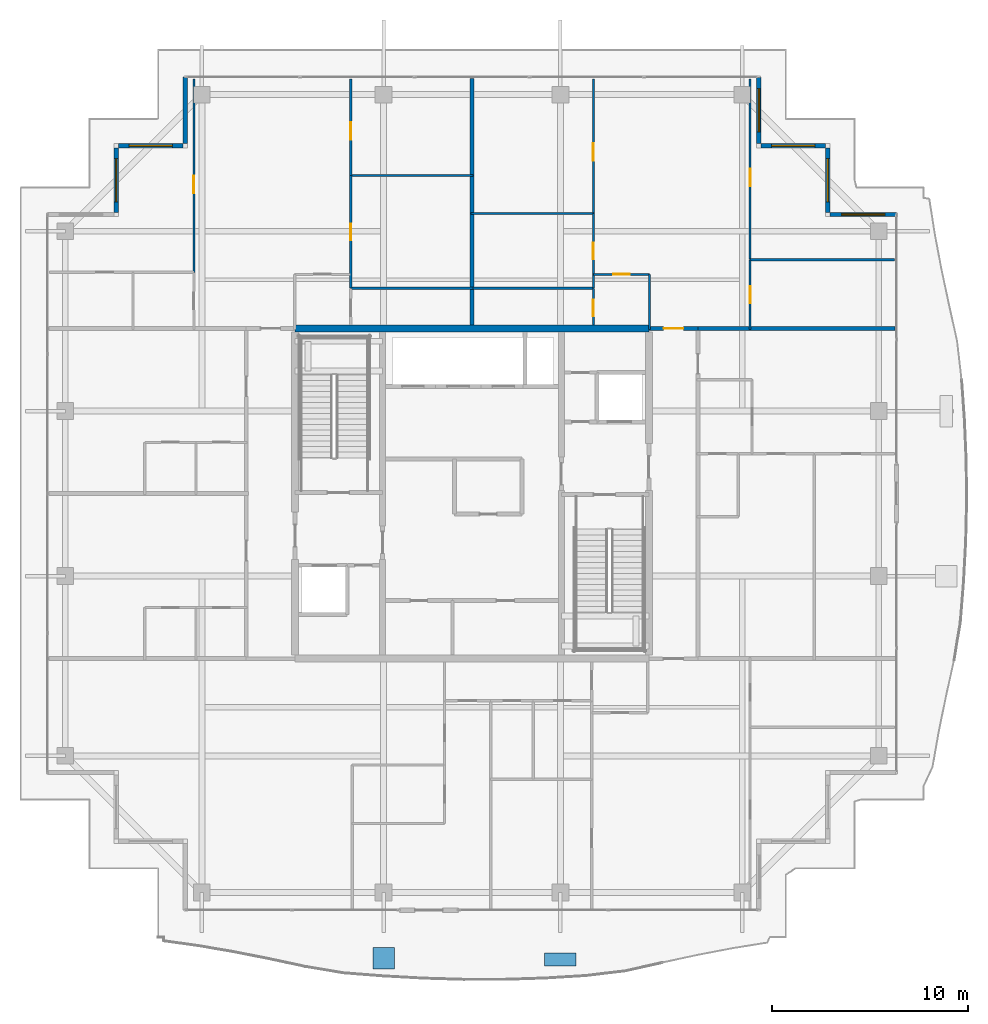
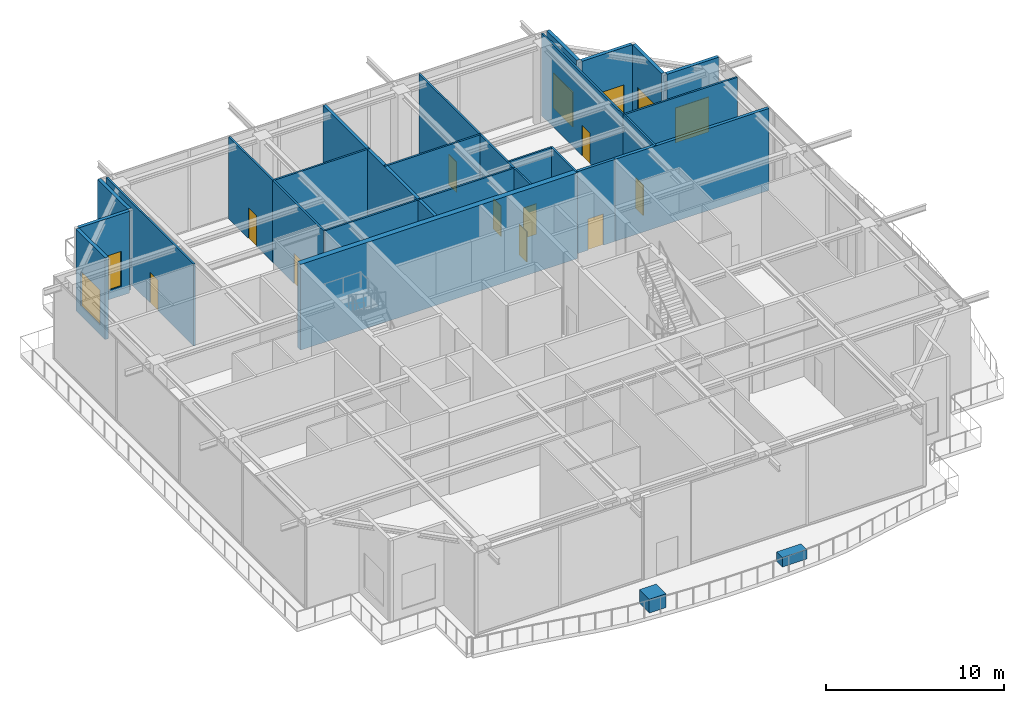
# One storey, part 30 of 38: 26 walls, 10 doors, 6 windows, 2 discrete accessories, 16 openings.
"""IFC4 building model written with IfcOpenShell, lengths in metres."""

from ifc_helpers import new_model, si_unit, direction, frame, frame_2d, origin, origin_2d, place, context, subcontext, project, spatial, rectangle, extrude, source, transform, mapped, material, layer, layer_set, type_object, element, fill, save


model = new_model("IFC4")

# Units and contexts
model_context = context("Model", 3, precision=1e-05, world=origin(), true_north=direction((0.0, 1.0)))
body_context = subcontext(model_context, "Body", "Model", "MODEL_VIEW")
ifc_project = project(units=[si_unit("LENGTHUNIT", "METRE"), si_unit("AREAUNIT", "SQUARE_METRE"), si_unit("VOLUMEUNIT", "CUBIC_METRE"), si_unit("PLANEANGLEUNIT", "RADIAN"), si_unit("MASSUNIT", "GRAM", prefix="KILO")], contexts=[model_context])

# Site, building, storey
site_placement = place(None, origin())
site = spatial("IfcSite", under=ifc_project, at=site_placement, CompositionType="ELEMENT")
building_placement = place(site_placement, origin())
building = spatial("IfcBuilding", under=site, at=building_placement, Name="Serunith Strait Residences", CompositionType="ELEMENT")
storey_placement = place(building_placement, frame((0.0, 0.0, 342.050048828125)))
storey = spatial("IfcBuildingStorey", under=building, at=storey_placement, Name="L85", CompositionType="ELEMENT", Elevation=342.050048828125)

# Wall, opening, window
ifc_material_1 = material(Name="Pale-Champagne Aluminium Insulated Panel", Category="aluminium")
ifc_layer_1 = layer(ifc_material_1, 0.219970703125, Name="Pale-Champagne Aluminium Insulated Panel")
ifc_layer_set_1 = layer_set([ifc_layer_1], Name="Pale-Champagne Aluminium Insulated Panel")
wall_type_1 = type_object("IfcWallType", Name="EW-ALUM-220", PredefinedType="ELEMENTEDWALL", material=ifc_layer_set_1)
wall_1_placement = place(storey_placement, frame((54.0, 39.39990234375, 0.0), z_axis=(0.0, 0.0, 1.0), x_axis=(-1.0, 0.0, 0.0)))
wall_1 = element("IfcWall", 1, at=wall_1_placement, inside=storey, type_object=wall_type_1, Name="L85 Girih Serrated Corner Wall 07", PredefinedType="ELEMENTEDWALL", context=body_context, shape_type="SweptSolid", body=[
    extrude(rectangle(XDim=3.389892578125, YDim=0.219970703125, at=frame_2d((1.69482421875, 0.0))), origin(), (0.0, 0.0, 1.0), 5.625),
])
opening_1_placement = place(wall_1_placement, frame((0.594970703125, 0.0, 0.64990234375)))
opening_1 = element("IfcOpeningElement", 2, at=opening_1_placement, cuts=wall_1, Name="Opening W-06", PredefinedType="OPENING", context=body_context, shape_type="SweptSolid", body=[
    extrude(rectangle(XDim=2.199951171875, YDim=2.39990234375, at=frame_2d((1.10009765625, 1.199951171875))), frame((0.0, 0.1201171875, 0.0), z_axis=(0.0, -1.0, 0.0), x_axis=(1.0, 0.0, 0.0)), (0.0, 0.0, 1.0), 0.239990234375),
])
ifc_material_2 = material(Name="Crown Penthouse Low-E Operable Window Glass", Category="glass")
window_type = type_object("IfcWindowType", Name="WIN-C6", PartitioningType="TRIPLE_PANEL_VERTICAL", PredefinedType="WINDOW", material=ifc_material_2)
shared_shape_1 = source(origin(), body_context, "Body", "SweptSolid", [
    extrude(rectangle(XDim=2.199951171875, YDim=2.39990234375, at=frame_2d((1.10009765625, 1.199951171875))), frame((0.0, 0.030029296875, 0.0), z_axis=(0.0, -1.0, 0.0), x_axis=(1.0, 0.0, 0.0)), (0.0, 0.0, 1.0), 0.06005859375),
])
window_1_placement = place(opening_1_placement, origin())
window_1 = element("IfcWindow", 3, at=window_1_placement, inside=storey, type_object=window_type, Name="L85 Corner Operable Fritted Window 07", OverallHeight=2.39990234375, OverallWidth=2.199951171875, PartitioningType="SINGLE_PANEL", PredefinedType="WINDOW", context=body_context, shape_type="MappedRepresentation", body=[
    mapped(shared_shape_1, transform((0.0, 0.0, 0.0), scale=1.0)),
])
fill(opening_1, window_1)

wall_2_placement = place(storey_placement, frame((50.5, 39.510009765625, 0.0), z_axis=(0.0, 0.0, 1.0), x_axis=(0.0, 1.0, 0.0)))
wall_2 = element("IfcWall", 4, at=wall_2_placement, inside=storey, type_object=wall_type_1, Name="L85 Girih Serrated Corner Wall 08", PredefinedType="ELEMENTEDWALL", context=body_context, shape_type="SweptSolid", body=[
    extrude(rectangle(XDim=3.280029296875, YDim=0.219970703125, at=frame_2d((1.64013671875, 0.0))), origin(), (0.0, 0.0, 1.0), 5.625),
])
opening_2_placement = place(wall_2_placement, frame((0.5400390625, 0.0, 0.64990234375)))
opening_2 = element("IfcOpeningElement", 5, at=opening_2_placement, cuts=wall_2, Name="Opening W-06", PredefinedType="OPENING", context=body_context, shape_type="SweptSolid", body=[
    extrude(rectangle(XDim=2.199951171875, YDim=2.39990234375, at=frame_2d((1.10009765625, 1.199951171875))), frame((0.0, 0.1201171875, 0.0), z_axis=(0.0, -1.0, 0.0), x_axis=(1.0, 0.0, 0.0)), (0.0, 0.0, 1.0), 0.239990234375),
])
window_2_placement = place(opening_2_placement, origin())
window_2 = element("IfcWindow", 6, at=window_2_placement, inside=storey, type_object=window_type, Name="L85 Corner Operable Fritted Window 08", OverallHeight=2.39990234375, OverallWidth=2.199951171875, PartitioningType="SINGLE_PANEL", PredefinedType="WINDOW", context=body_context, shape_type="MappedRepresentation", body=[
    mapped(shared_shape_1, transform((0.0, 0.0, 0.0), scale=1.0)),
])
fill(opening_2, window_2)

wall_3_placement = place(storey_placement, frame((50.389892578125, 42.89990234375, 0.0), z_axis=(0.0, 0.0, 1.0), x_axis=(-1.0, 0.0, 0.0)))
wall_3 = element("IfcWall", 7, at=wall_3_placement, inside=storey, type_object=wall_type_1, Name="L85 Girih Serrated Corner Wall 09", PredefinedType="ELEMENTEDWALL", context=body_context, shape_type="SweptSolid", body=[
    extrude(rectangle(XDim=3.27978515625, YDim=0.219970703125, at=frame_2d((1.639892578125, 0.0))), origin(), (0.0, 0.0, 1.0), 5.625),
])
opening_3_placement = place(wall_3_placement, frame((0.5400390625, 0.0, 0.64990234375)))
opening_3 = element("IfcOpeningElement", 8, at=opening_3_placement, cuts=wall_3, Name="Opening W-06", PredefinedType="OPENING", context=body_context, shape_type="SweptSolid", body=[
    extrude(rectangle(XDim=2.199951171875, YDim=2.39990234375, at=frame_2d((1.10009765625, 1.199951171875))), frame((0.0, 0.1201171875, 0.0), z_axis=(0.0, -1.0, 0.0), x_axis=(1.0, 0.0, 0.0)), (0.0, 0.0, 1.0), 0.239990234375),
])
window_3_placement = place(opening_3_placement, origin())
window_3 = element("IfcWindow", 9, at=window_3_placement, inside=storey, type_object=window_type, Name="L85 Corner Operable Fritted Window 09", OverallHeight=2.39990234375, OverallWidth=2.199951171875, PartitioningType="SINGLE_PANEL", PredefinedType="WINDOW", context=body_context, shape_type="MappedRepresentation", body=[
    mapped(shared_shape_1, transform((0.0, 0.0, 0.0), scale=1.0)),
])
fill(opening_3, window_3)

wall_4_placement = place(storey_placement, frame((47.0, 43.010009765625, 0.0), z_axis=(0.0, 0.0, 1.0), x_axis=(0.0, 1.0, 0.0)))
wall_4 = element("IfcWall", 10, at=wall_4_placement, inside=storey, type_object=wall_type_1, Name="L85 Girih Serrated Corner Wall 10", PredefinedType="ELEMENTEDWALL", context=body_context, shape_type="SweptSolid", body=[
    extrude(rectangle(XDim=3.389892578125, YDim=0.219970703125, at=frame_2d((1.69482421875, 0.0))), origin(), (0.0, 0.0, 1.0), 5.625),
])
opening_4_placement = place(wall_4_placement, frame((0.594970703125, 0.0, 0.64990234375)))
opening_4 = element("IfcOpeningElement", 11, at=opening_4_placement, cuts=wall_4, Name="Opening W-06", PredefinedType="OPENING", context=body_context, shape_type="SweptSolid", body=[
    extrude(rectangle(XDim=2.199951171875, YDim=2.39990234375, at=frame_2d((1.10009765625, 1.199951171875))), frame((0.0, 0.1201171875, 0.0), z_axis=(0.0, -1.0, 0.0), x_axis=(1.0, 0.0, 0.0)), (0.0, 0.0, 1.0), 0.239990234375),
])
window_4_placement = place(opening_4_placement, origin())
window_4 = element("IfcWindow", 12, at=window_4_placement, inside=storey, type_object=window_type, Name="L85 Corner Operable Fritted Window 10", OverallHeight=2.39990234375, OverallWidth=2.199951171875, PartitioningType="SINGLE_PANEL", PredefinedType="WINDOW", context=body_context, shape_type="MappedRepresentation", body=[
    mapped(shared_shape_1, transform((0.0, 0.0, 0.0), scale=1.0)),
])
fill(opening_4, window_4)

# Wall
wall_5_placement = place(storey_placement, frame((17.800048828125, 46.39990234375, 0.0), z_axis=(0.0, 0.0, 1.0), x_axis=(0.0, -1.0, 0.0)))
element("IfcWall", 13, at=wall_5_placement, inside=storey, type_object=wall_type_1, Name="L85 Girih Serrated Corner Wall 12", PredefinedType="ELEMENTEDWALL", context=body_context, shape_type="SweptSolid", body=[
    extrude(rectangle(XDim=3.389892578125, YDim=0.219970703125, at=frame_2d((1.69482421875, 0.0))), origin(), (0.0, 0.0, 1.0), 5.625),
])

# Wall, opening, window
wall_6_placement = place(storey_placement, frame((17.68994140625, 42.89990234375, 0.0), z_axis=(0.0, 0.0, 1.0), x_axis=(-1.0, 0.0, 0.0)))
wall_6 = element("IfcWall", 14, at=wall_6_placement, inside=storey, type_object=wall_type_1, Name="L85 Girih Serrated Corner Wall 13", PredefinedType="ELEMENTEDWALL", context=body_context, shape_type="SweptSolid", body=[
    extrude(rectangle(XDim=3.280029296875, YDim=0.219970703125, at=frame_2d((1.64013671875, 0.0))), origin(), (0.0, 0.0, 1.0), 5.625),
])
opening_5_placement = place(wall_6_placement, frame((0.5400390625, 0.0, 0.64990234375)))
opening_5 = element("IfcOpeningElement", 15, at=opening_5_placement, cuts=wall_6, Name="Opening W-06", PredefinedType="OPENING", context=body_context, shape_type="SweptSolid", body=[
    extrude(rectangle(XDim=2.199951171875, YDim=2.39990234375, at=frame_2d((1.10009765625, 1.199951171875))), frame((0.0, 0.1201171875, 0.0), z_axis=(0.0, -1.0, 0.0), x_axis=(1.0, 0.0, 0.0)), (0.0, 0.0, 1.0), 0.239990234375),
])
window_5_placement = place(opening_5_placement, origin())
window_5 = element("IfcWindow", 16, at=window_5_placement, inside=storey, type_object=window_type, Name="L85 Corner Operable Fritted Window 13", OverallHeight=2.39990234375, OverallWidth=2.199951171875, PartitioningType="SINGLE_PANEL", PredefinedType="WINDOW", context=body_context, shape_type="MappedRepresentation", body=[
    mapped(shared_shape_1, transform((0.0, 0.0, 0.0), scale=1.0)),
])
fill(opening_5, window_5)

wall_7_placement = place(storey_placement, frame((14.300048828125, 42.7900390625, 0.0), z_axis=(0.0, 0.0, 1.0), x_axis=(0.0, -1.0, 0.0)))
wall_7 = element("IfcWall", 17, at=wall_7_placement, inside=storey, type_object=wall_type_1, Name="L85 Girih Serrated Corner Wall 14", PredefinedType="ELEMENTEDWALL", context=body_context, shape_type="SweptSolid", body=[
    extrude(rectangle(XDim=3.280029296875, YDim=0.219970703125, at=frame_2d((1.64013671875, 0.0))), origin(), (0.0, 0.0, 1.0), 5.625),
])
opening_6_placement = place(wall_7_placement, frame((0.5400390625, 0.0, 0.64990234375)))
opening_6 = element("IfcOpeningElement", 18, at=opening_6_placement, cuts=wall_7, Name="Opening W-06", PredefinedType="OPENING", context=body_context, shape_type="SweptSolid", body=[
    extrude(rectangle(XDim=2.199951171875, YDim=2.39990234375, at=frame_2d((1.10009765625, 1.199951171875))), frame((0.0, 0.1201171875, 0.0), z_axis=(0.0, -1.0, 0.0), x_axis=(1.0, 0.0, 0.0)), (0.0, 0.0, 1.0), 0.239990234375),
])
window_6_placement = place(opening_6_placement, origin())
window_6 = element("IfcWindow", 19, at=window_6_placement, inside=storey, type_object=window_type, Name="L85 Corner Operable Fritted Window 14", OverallHeight=2.39990234375, OverallWidth=2.199951171875, PartitioningType="SINGLE_PANEL", PredefinedType="WINDOW", context=body_context, shape_type="MappedRepresentation", body=[
    mapped(shared_shape_1, transform((0.0, 0.0, 0.0), scale=1.0)),
])
fill(opening_6, window_6)

# Wall, opening, door
ifc_material_3 = material(Name="Fire-rated acoustic gypsum partition")
ifc_layer_2 = layer(ifc_material_3, 0.179931640625, Name="Fire-rated acoustic gypsum partition")
ifc_layer_set_2 = layer_set([ifc_layer_2], Name="Fire-rated acoustic gypsum partition")
wall_type_2 = type_object("IfcWallType", Name="IW-CORR-180", PredefinedType="PARTITIONING", material=ifc_layer_set_2)
wall_8_placement = place(storey_placement, frame((41.402099609375, 33.60009765625, 0.0), z_axis=(0.0, 0.0, 1.0), x_axis=(1.0, 0.0, 0.0)))
wall_8 = element("IfcWall", 20, at=wall_8_placement, inside=storey, type_object=wall_type_2, Name="L85 Partition Wall 029", PredefinedType="PARTITIONING", context=body_context, shape_type="SweptSolid", body=[
    extrude(rectangle(XDim=2.495849609375, YDim=0.179931640625, at=frame_2d((1.248046875, 0.0))), origin(), (0.0, 0.0, 1.0), 5.639892578125),
])
opening_7_placement = place(wall_8_placement, frame((0.748046875, 0.0, 0.0)))
opening_7 = element("IfcOpeningElement", 21, at=opening_7_placement, cuts=wall_8, Name="Opening D-APT1000", PredefinedType="OPENING", context=body_context, shape_type="SweptSolid", body=[
    extrude(rectangle(XDim=1.0, YDim=2.14990234375, at=frame_2d((0.5, 1.074951171875))), frame((0.0, 0.10009765625, 0.0), z_axis=(0.0, -1.0, 0.0), x_axis=(1.0, 0.0, 0.0)), (0.0, 0.0, 1.0), 0.199951171875),
])
ifc_material_4 = material(Name="Solid timber engineered fire door", Category="wood")
door_type_1 = type_object("IfcDoorType", Name="ID-APT-1000", OperationType="NOTDEFINED", PredefinedType="DOOR", material=ifc_material_4)
shared_shape_2 = source(origin(), body_context, "Body", "SweptSolid", [
    extrude(rectangle(XDim=1.0, YDim=2.14990234375, at=frame_2d((0.5, 1.074951171875))), frame((0.0, 0.02490234375, 0.0), z_axis=(0.0, -1.0, 0.0), x_axis=(1.0, 0.0, 0.0)), (0.0, 0.0, 1.0), 0.050048828125),
])
door_1_placement = place(opening_7_placement, origin())
door_1 = element("IfcDoor", 22, at=door_1_placement, inside=storey, type_object=door_type_1, Name="L85 Unit 03 Entrance Door", OperationType="SINGLE_SWING_LEFT", OverallHeight=2.14990234375, OverallWidth=1.0, PredefinedType="DOOR", context=body_context, shape_type="MappedRepresentation", body=[
    mapped(shared_shape_2, transform((0.0, 0.0, 0.0), scale=1.0)),
])
fill(opening_7, door_1)

ifc_material_5 = material(Name="Lightweight steel-stud gypsum partition", Category="steel")
ifc_layer_3 = layer(ifc_material_5, 0.1201171875, Name="Lightweight steel-stud gypsum partition")
ifc_layer_set_3 = layer_set([ifc_layer_3], Name="Lightweight steel-stud gypsum partition")
wall_type_3 = type_object("IfcWallType", Name="IW-PART-120", PredefinedType="PARTITIONING", material=ifc_layer_set_3)
wall_9_placement = place(storey_placement, frame((18.25, 46.304931640625, 0.0), z_axis=(0.0, 0.0, 1.0), x_axis=(0.0, -1.0, 0.0)))
wall_9 = element("IfcWall", 23, at=wall_9_placement, inside=storey, type_object=wall_type_3, Name="L85 Partition Wall 053", PredefinedType="PARTITIONING", context=body_context, shape_type="SweptSolid", body=[
    extrude(rectangle(XDim=9.848876953125, YDim=0.1201171875, at=frame_2d((4.92431640625, 0.0))), origin(), (0.0, 0.0, 1.0), 5.639892578125),
])
opening_8_placement = place(wall_9_placement, frame((4.922119140625, 0.0, 0.0)))
opening_8 = element("IfcOpeningElement", 24, at=opening_8_placement, cuts=wall_9, Name="Opening D-RM900", PredefinedType="OPENING", context=body_context, shape_type="SweptSolid", body=[
    extrude(rectangle(XDim=0.89990234375, YDim=2.10009765625, at=frame_2d((0.449951171875, 1.050048828125))), frame((0.0, 0.070068359375, 0.0), z_axis=(0.0, -1.0, 0.0), x_axis=(1.0, 0.0, 0.0)), (0.0, 0.0, 1.0), 0.14013671875),
])
ifc_material_6 = material(Name="Engineered timber flush bedroom door", Category="wood")
door_type_2 = type_object("IfcDoorType", Name="ID-ROOM-900", OperationType="NOTDEFINED", PredefinedType="DOOR", material=ifc_material_6)
shared_shape_3 = source(origin(), body_context, "Body", "SweptSolid", [
    extrude(rectangle(XDim=0.89990234375, YDim=2.10009765625, at=frame_2d((0.449951171875, 1.050048828125))), frame((0.0, 0.02490234375, 0.0), z_axis=(0.0, -1.0, 0.0), x_axis=(1.0, 0.0, 0.0)), (0.0, 0.0, 1.0), 0.050048828125),
])
door_2_placement = place(opening_8_placement, origin())
door_2 = element("IfcDoor", 25, at=door_2_placement, inside=storey, type_object=door_type_2, Name="L85 Master Bedroom 1 8502 Door", OperationType="SINGLE_SWING_RIGHT", OverallHeight=2.10009765625, OverallWidth=0.89990234375, PredefinedType="DOOR", context=body_context, shape_type="MappedRepresentation", body=[
    mapped(shared_shape_3, transform((0.0, 0.0, 0.0), scale=1.0)),
])
fill(opening_8, door_2)

wall_10_placement = place(storey_placement, frame((26.219970703125, 46.304931640625, 0.0), z_axis=(0.0, 0.0, 1.0), x_axis=(0.0, -1.0, 0.0)))
wall_10 = element("IfcWall", 26, at=wall_10_placement, inside=storey, type_object=wall_type_3, Name="L85 Partition Wall 058", PredefinedType="PARTITIONING", context=body_context, shape_type="SweptSolid", body=[
    extrude(rectangle(XDim=4.919921875, YDim=0.1201171875, at=frame_2d((2.4599609375, 0.0))), origin(), (0.0, 0.0, 1.0), 5.639892578125),
])
opening_9_placement = place(wall_10_placement, frame((2.2109375, 0.0, 0.0)))
opening_9 = element("IfcOpeningElement", 27, at=opening_9_placement, cuts=wall_10, Name="Opening D-RM900", PredefinedType="OPENING", context=body_context, shape_type="SweptSolid", body=[
    extrude(rectangle(XDim=0.89990234375, YDim=2.10009765625, at=frame_2d((0.449951171875, 1.050048828125))), frame((0.0, 0.070068359375, 0.0), z_axis=(0.0, -1.0, 0.0), x_axis=(1.0, 0.0, 0.0)), (0.0, 0.0, 1.0), 0.14013671875),
])
door_3_placement = place(opening_9_placement, origin())
door_3 = element("IfcDoor", 28, at=door_3_placement, inside=storey, type_object=door_type_2, Name="L85 Bedroom 2 8502 Door", OperationType="SINGLE_SWING_LEFT", OverallHeight=2.10009765625, OverallWidth=0.89990234375, PredefinedType="DOOR", context=body_context, shape_type="MappedRepresentation", body=[
    mapped(shared_shape_3, transform((0.0, 0.0, 0.0), scale=1.0)),
])
fill(opening_9, door_3)

# Walls
for number, where, z_axis, x_axis, name in (
    (29, (26.219970703125, 41.385009765625, 0.0), (0.0, 0.0, 1.0), (1.0, 0.0, 0.0), "L85 Partition Wall 059"),
    (30, (26.219970703125, 35.64990234375, 0.0), (0.0, 0.0, 1.0), (1.0, 0.0, 0.0), "L85 Partition Wall 060"),
):
    element("IfcWall", number, at=place(storey_placement, frame(where, z_axis=z_axis, x_axis=x_axis)), inside=storey, type_object=wall_type_3, Name=name, PredefinedType="PARTITIONING", context=body_context, shape_type="SweptSolid", body=[
        extrude(rectangle(XDim=6.239990234375, YDim=0.1201171875, at=frame_2d((3.1201171875, 0.0))), origin(), (0.0, 0.0, 1.0), 5.639892578125),
    ])

# Wall, opening, door
wall_11_placement = place(storey_placement, frame((26.219970703125, 41.383056640625, 0.0), z_axis=(0.0, 0.0, 1.0), x_axis=(0.0, -1.0, 0.0)))
wall_11 = element("IfcWall", 31, at=wall_11_placement, inside=storey, type_object=wall_type_3, Name="L85 Partition Wall 061", PredefinedType="PARTITIONING", context=body_context, shape_type="SweptSolid", body=[
    extrude(rectangle(XDim=5.733154296875, YDim=0.1201171875, at=frame_2d((2.86669921875, 0.0))), origin(), (0.0, 0.0, 1.0), 5.639892578125),
])
opening_10_placement = place(wall_11_placement, frame((2.44189453125, 0.0, 0.0)))
opening_10 = element("IfcOpeningElement", 32, at=opening_10_placement, cuts=wall_11, Name="Opening D-RM850", PredefinedType="OPENING", context=body_context, shape_type="SweptSolid", body=[
    extrude(rectangle(XDim=0.85009765625, YDim=2.10009765625, at=frame_2d((0.425048828125, 1.050048828125))), frame((0.0, 0.070068359375, 0.0), z_axis=(0.0, -1.0, 0.0), x_axis=(1.0, 0.0, 0.0)), (0.0, 0.0, 1.0), 0.14013671875),
])
ifc_material_7 = material(Name="Engineered timber flush study and kitchen door", Category="wood")
door_type_3 = type_object("IfcDoorType", Name="ID-ROOM-850", OperationType="NOTDEFINED", PredefinedType="DOOR", material=ifc_material_7)
shared_shape_4 = source(origin(), body_context, "Body", "SweptSolid", [
    extrude(rectangle(XDim=0.85009765625, YDim=2.10009765625, at=frame_2d((0.425048828125, 1.050048828125))), frame((0.0, 0.02490234375, 0.0), z_axis=(0.0, -1.0, 0.0), x_axis=(1.0, 0.0, 0.0)), (0.0, 0.0, 1.0), 0.050048828125),
])
door_4_placement = place(opening_10_placement, origin())
door_4 = element("IfcDoor", 33, at=door_4_placement, inside=storey, type_object=door_type_3, Name="L85 Walk-in Wardrobe 8502 Door", OperationType="SINGLE_SWING_RIGHT", OverallHeight=2.10009765625, OverallWidth=0.85009765625, PredefinedType="DOOR", context=body_context, shape_type="MappedRepresentation", body=[
    mapped(shared_shape_4, transform((0.0, 0.0, 0.0), scale=1.0)),
])
fill(opening_10, door_4)

wall_12_placement = place(storey_placement, frame((38.580078125, 36.35009765625, 0.0), z_axis=(0.0, 0.0, 1.0), x_axis=(1.0, 0.0, 0.0)))
wall_12 = element("IfcWall", 34, at=wall_12_placement, inside=storey, type_object=wall_type_3, Name="L85 Partition Wall 063", PredefinedType="PARTITIONING", context=body_context, shape_type="SweptSolid", body=[
    extrude(rectangle(XDim=2.849853515625, YDim=0.1201171875, at=frame_2d((1.4248046875, 0.0))), origin(), (0.0, 0.0, 1.0), 5.639892578125),
])
opening_11_placement = place(wall_12_placement, frame((1.0, 0.0, 0.0)))
opening_11 = element("IfcOpeningElement", 35, at=opening_11_placement, cuts=wall_12, Name="Opening D-RM850", PredefinedType="OPENING", context=body_context, shape_type="SweptSolid", body=[
    extrude(rectangle(XDim=0.85009765625, YDim=2.10009765625, at=frame_2d((0.425048828125, 1.050048828125))), frame((0.0, 0.070068359375, 0.0), z_axis=(0.0, -1.0, 0.0), x_axis=(1.0, 0.0, 0.0)), (0.0, 0.0, 1.0), 0.14013671875),
])
door_5_placement = place(opening_11_placement, origin())
door_5 = element("IfcDoor", 36, at=door_5_placement, inside=storey, type_object=door_type_3, Name="L85 Kitchen 8503 Door", OperationType="SINGLE_SWING_RIGHT", OverallHeight=2.10009765625, OverallWidth=0.85009765625, PredefinedType="DOOR", context=body_context, shape_type="MappedRepresentation", body=[
    mapped(shared_shape_4, transform((0.0, 0.0, 0.0), scale=1.0)),
])
fill(opening_11, door_5)

# Wall
wall_13_placement = place(storey_placement, frame((41.429931640625, 36.35009765625, 0.0), z_axis=(0.0, 0.0, 1.0), x_axis=(0.0, -1.0, 0.0)))
element("IfcWall", 37, at=wall_13_placement, inside=storey, type_object=wall_type_3, Name="L85 Partition Wall 064", PredefinedType="PARTITIONING", context=body_context, shape_type="SweptSolid", body=[
    extrude(rectangle(XDim=2.81005859375, YDim=0.1201171875, at=frame_2d((1.405029296875, 0.0))), origin(), (0.0, 0.0, 1.0), 5.639892578125),
])

# Wall, opening, door
wall_14_placement = place(storey_placement, frame((38.580078125, 46.304931640625, 0.0), z_axis=(0.0, 0.0, 1.0), x_axis=(0.0, -1.0, 0.0)))
wall_14 = element("IfcWall", 38, at=wall_14_placement, inside=storey, type_object=wall_type_3, Name="L85 Partition Wall 065", PredefinedType="PARTITIONING", context=body_context, shape_type="SweptSolid", body=[
    extrude(rectangle(XDim=6.85205078125, YDim=0.1201171875, at=frame_2d((3.426025390625, 0.0))), origin(), (0.0, 0.0, 1.0), 5.639892578125),
])
opening_12_placement = place(wall_14_placement, frame((3.27392578125, 0.0, 0.0)))
opening_12 = element("IfcOpeningElement", 39, at=opening_12_placement, cuts=wall_14, Name="Opening D-RM900", PredefinedType="OPENING", context=body_context, shape_type="SweptSolid", body=[
    extrude(rectangle(XDim=0.89990234375, YDim=2.10009765625, at=frame_2d((0.449951171875, 1.050048828125))), frame((0.0, 0.070068359375, 0.0), z_axis=(0.0, -1.0, 0.0), x_axis=(1.0, 0.0, 0.0)), (0.0, 0.0, 1.0), 0.14013671875),
])
door_6_placement = place(opening_12_placement, origin())
door_6 = element("IfcDoor", 40, at=door_6_placement, inside=storey, type_object=door_type_2, Name="L85 Master Bedroom 1 8503 Door", OperationType="SINGLE_SWING_LEFT", OverallHeight=2.10009765625, OverallWidth=0.89990234375, PredefinedType="DOOR", context=body_context, shape_type="MappedRepresentation", body=[
    mapped(shared_shape_3, transform((0.0, 0.0, 0.0), scale=1.0)),
])
fill(opening_12, door_6)

# Walls
wall_15_placement = place(storey_placement, frame((32.340087890625, 39.452880859375, 0.0), z_axis=(0.0, 0.0, 1.0), x_axis=(1.0, 0.0, 0.0)))
element("IfcWall", 41, at=wall_15_placement, inside=storey, type_object=wall_type_3, Name="L85 Partition Wall 066", PredefinedType="PARTITIONING", context=body_context, shape_type="SweptSolid", body=[
    extrude(rectangle(XDim=6.239990234375, YDim=0.1201171875, at=frame_2d((3.1201171875, 0.0))), origin(), (0.0, 0.0, 1.0), 5.639892578125),
])
wall_16_placement = place(storey_placement, frame((32.4619140625, 35.64990234375, 0.0), z_axis=(0.0, 0.0, 1.0), x_axis=(1.0, 0.0, 0.0)))
element("IfcWall", 42, at=wall_16_placement, inside=storey, type_object=wall_type_3, Name="L85 Partition Wall 067", PredefinedType="PARTITIONING", context=body_context, shape_type="SweptSolid", body=[
    extrude(rectangle(XDim=6.1181640625, YDim=0.1201171875, at=frame_2d((3.05908203125, 0.0))), origin(), (0.0, 0.0, 1.0), 5.639892578125),
])

# Wall, opening, door
wall_17_placement = place(storey_placement, frame((38.580078125, 39.450927734375, 0.0), z_axis=(0.0, 0.0, 1.0), x_axis=(0.0, -1.0, 0.0)))
wall_17 = element("IfcWall", 43, at=wall_17_placement, inside=storey, type_object=wall_type_3, Name="L85 Partition Wall 068", PredefinedType="PARTITIONING", context=body_context, shape_type="SweptSolid", body=[
    extrude(rectangle(XDim=3.801025390625, YDim=0.1201171875, at=frame_2d((1.900390625, 0.0))), origin(), (0.0, 0.0, 1.0), 5.639892578125),
])
opening_13_placement = place(wall_17_placement, frame((1.47607421875, 0.0, 0.0)))
opening_13 = element("IfcOpeningElement", 44, at=opening_13_placement, cuts=wall_17, Name="Opening D-RM850", PredefinedType="OPENING", context=body_context, shape_type="SweptSolid", body=[
    extrude(rectangle(XDim=0.85009765625, YDim=2.10009765625, at=frame_2d((0.425048828125, 1.050048828125))), frame((0.0, 0.070068359375, 0.0), z_axis=(0.0, -1.0, 0.0), x_axis=(1.0, 0.0, 0.0)), (0.0, 0.0, 1.0), 0.14013671875),
])
door_7_placement = place(opening_13_placement, origin())
door_7 = element("IfcDoor", 45, at=door_7_placement, inside=storey, type_object=door_type_3, Name="L85 Laundry Room 8503 Door", OperationType="SINGLE_SWING_RIGHT", OverallHeight=2.10009765625, OverallWidth=0.85009765625, PredefinedType="DOOR", context=body_context, shape_type="MappedRepresentation", body=[
    mapped(shared_shape_4, transform((0.0, 0.0, 0.0), scale=1.0)),
])
fill(opening_13, door_7)

wall_18_placement = place(storey_placement, frame((38.580078125, 35.64794921875, 0.0), z_axis=(0.0, 0.0, 1.0), x_axis=(0.0, -1.0, 0.0)))
wall_18 = element("IfcWall", 46, at=wall_18_placement, inside=storey, type_object=wall_type_3, Name="L85 Partition Wall 069", PredefinedType="PARTITIONING", context=body_context, shape_type="SweptSolid", body=[
    extrude(rectangle(XDim=1.873046875, YDim=0.1201171875, at=frame_2d((0.9365234375, 0.0))), origin(), (0.0, 0.0, 1.0), 5.639892578125),
])
opening_14_placement = place(wall_18_placement, frame((0.574951171875, 0.0, 0.0)))
opening_14 = element("IfcOpeningElement", 47, at=opening_14_placement, cuts=wall_18, Name="Opening D-BTH850", PredefinedType="OPENING", context=body_context, shape_type="SweptSolid", body=[
    extrude(rectangle(XDim=0.85009765625, YDim=2.10009765625, at=frame_2d((0.425048828125, 1.050048828125))), frame((0.0, 0.070068359375, 0.0), z_axis=(0.0, -1.0, 0.0), x_axis=(1.0, 0.0, 0.0)), (0.0, 0.0, 1.0), 0.14013671875),
])
ifc_material_8 = material(Name="Moisture-resistant timber bathroom door", Category="wood")
door_type_4 = type_object("IfcDoorType", Name="ID-BATH-850", OperationType="NOTDEFINED", PredefinedType="DOOR", material=ifc_material_8)
door_8_placement = place(opening_14_placement, origin())
door_8 = element("IfcDoor", 48, at=door_8_placement, inside=storey, type_object=door_type_4, Name="L85 Bathroom 8503 Door", OperationType="SINGLE_SWING_LEFT", OverallHeight=2.10009765625, OverallWidth=0.85009765625, PredefinedType="DOOR", context=body_context, shape_type="MappedRepresentation", body=[
    mapped(shared_shape_4, transform((0.0, 0.0, 0.0), scale=1.0)),
])
fill(opening_14, door_8)

wall_19_placement = place(storey_placement, frame((46.550048828125, 46.304931640625, 0.0), z_axis=(0.0, 0.0, 1.0), x_axis=(0.0, -1.0, 0.0)))
wall_19 = element("IfcWall", 49, at=wall_19_placement, inside=storey, type_object=wall_type_3, Name="L85 Partition Wall 070", PredefinedType="PARTITIONING", context=body_context, shape_type="SweptSolid", body=[
    extrude(rectangle(XDim=9.204833984375, YDim=0.1201171875, at=frame_2d((4.6025390625, 0.0))), origin(), (0.0, 0.0, 1.0), 5.639892578125),
])
opening_15_placement = place(wall_19_placement, frame((4.568115234375, 0.0, 0.0)))
opening_15 = element("IfcOpeningElement", 50, at=opening_15_placement, cuts=wall_19, Name="Opening D-RM900", PredefinedType="OPENING", context=body_context, shape_type="SweptSolid", body=[
    extrude(rectangle(XDim=0.89990234375, YDim=2.10009765625, at=frame_2d((0.449951171875, 1.050048828125))), frame((0.0, 0.070068359375, 0.0), z_axis=(0.0, -1.0, 0.0), x_axis=(1.0, 0.0, 0.0)), (0.0, 0.0, 1.0), 0.14013671875),
])
door_9_placement = place(opening_15_placement, origin())
door_9 = element("IfcDoor", 51, at=door_9_placement, inside=storey, type_object=door_type_2, Name="L85 Bedroom 2 8503 Door", OperationType="SINGLE_SWING_RIGHT", OverallHeight=2.10009765625, OverallWidth=0.89990234375, PredefinedType="DOOR", context=body_context, shape_type="MappedRepresentation", body=[
    mapped(shared_shape_3, transform((0.0, 0.0, 0.0), scale=1.0)),
])
fill(opening_15, door_9)

# Wall
wall_20_placement = place(storey_placement, frame((46.550048828125, 37.10009765625, 0.0), z_axis=(0.0, 0.0, 1.0), x_axis=(1.0, 0.0, 0.0)))
element("IfcWall", 52, at=wall_20_placement, inside=storey, type_object=wall_type_3, Name="L85 Partition Wall 071", PredefinedType="PARTITIONING", context=body_context, shape_type="SweptSolid", body=[
    extrude(rectangle(XDim=7.35498046875, YDim=0.1201171875, at=frame_2d((3.677490234375, 0.0))), origin(), (0.0, 0.0, 1.0), 5.639892578125),
])

# Wall, opening, door
wall_21_placement = place(storey_placement, frame((46.550048828125, 37.097900390625, 0.0), z_axis=(0.0, 0.0, 1.0), x_axis=(0.0, -1.0, 0.0)))
wall_21 = element("IfcWall", 53, at=wall_21_placement, inside=storey, type_object=wall_type_3, Name="L85 Partition Wall 072", PredefinedType="PARTITIONING", context=body_context, shape_type="SweptSolid", body=[
    extrude(rectangle(XDim=3.557861328125, YDim=0.1201171875, at=frame_2d((1.77880859375, 0.0))), origin(), (0.0, 0.0, 1.0), 5.639892578125),
])
opening_16_placement = place(wall_21_placement, frame((1.35400390625, 0.0, 0.0)))
opening_16 = element("IfcOpeningElement", 54, at=opening_16_placement, cuts=wall_21, Name="Opening D-RM850", PredefinedType="OPENING", context=body_context, shape_type="SweptSolid", body=[
    extrude(rectangle(XDim=0.85009765625, YDim=2.10009765625, at=frame_2d((0.425048828125, 1.050048828125))), frame((0.0, 0.070068359375, 0.0), z_axis=(0.0, -1.0, 0.0), x_axis=(1.0, 0.0, 0.0)), (0.0, 0.0, 1.0), 0.14013671875),
])
door_10_placement = place(opening_16_placement, origin())
door_10 = element("IfcDoor", 55, at=door_10_placement, inside=storey, type_object=door_type_3, Name="L85 Walk-in Wardrobe 8503 Door", OperationType="SINGLE_SWING_LEFT", OverallHeight=2.10009765625, OverallWidth=0.85009765625, PredefinedType="DOOR", context=body_context, shape_type="MappedRepresentation", body=[
    mapped(shared_shape_4, transform((0.0, 0.0, 0.0), scale=1.0)),
])
fill(opening_16, door_10)

# Walls
ifc_material_9 = material(Name="Twin-stud acoustic gypsum board partition")
ifc_layer_4 = layer(ifc_material_9, 0.199951171875, Name="Twin-stud acoustic gypsum board partition")
ifc_layer_set_4 = layer_set([ifc_layer_4], Name="Twin-stud acoustic gypsum board partition")
wall_type_4 = type_object("IfcWallType", Name="IW-PARTY-200", PredefinedType="PARTITIONING", material=ifc_layer_set_4)
wall_22_placement = place(storey_placement, frame((32.39990234375, 33.77490234375, 0.0), z_axis=(0.0, 0.0, 1.0), x_axis=(0.0, 1.0, 0.0)))
element("IfcWall", 56, at=wall_22_placement, inside=storey, type_object=wall_type_4, Name="L85 Partition Wall 019", PredefinedType="PARTITIONING", context=body_context, shape_type="SweptSolid", body=[
    extrude(rectangle(XDim=12.543212890625, YDim=0.199951171875, at=frame_2d((6.271484375, 0.0))), origin(), (0.0, 0.0, 1.0), 5.639892578125),
])
wall_23_placement = place(storey_placement, frame((43.89990234375, 33.60009765625, 0.0), z_axis=(0.0, 0.0, 1.0), x_axis=(1.0, 0.0, 0.0)))
element("IfcWall", 57, at=wall_23_placement, inside=storey, type_object=wall_type_4, Name="L85 Partition Wall 024", PredefinedType="PARTITIONING", context=body_context, shape_type="SweptSolid", body=[
    extrude(rectangle(XDim=10.01806640625, YDim=0.199951171875, at=frame_2d((5.009033203125, 0.0))), origin(), (0.0, 0.0, 1.0), 5.639892578125),
])
ifc_material_10 = material(Name="Concrete C60/75", Category="concrete")
ifc_layer_5 = layer(ifc_material_10, 0.35009765625, Name="Concrete C60/75")
ifc_layer_set_5 = layer_set([ifc_layer_5], Name="Concrete C60/75")
wall_type_5 = type_object("IfcWallType", Name="SW-350-C60", PredefinedType="SHEAR", material=ifc_layer_set_5)
wall_24_placement = place(storey_placement, frame((41.39990234375, 33.60009765625, -0.260009765625), z_axis=(0.0, 0.0, 1.0), x_axis=(-1.0, 0.0, 0.0)))
element("IfcWall", 58, at=wall_24_placement, inside=storey, type_object=wall_type_5, Name="L85 Core North Shear Wall", PredefinedType="SHEAR", context=body_context, shape_type="SweptSolid", body=[
    extrude(rectangle(XDim=18.0, YDim=0.35009765625, at=frame_2d((9.0, 0.0))), origin(), (0.0, 0.0, 1.0), 5.89794921875),
])

# Discrete accessories
ifc_material_11 = material(Name="GFRC Root-Anchored Structural Planter")
discrete_accessory_type_1 = type_object("IfcDiscreteAccessoryType", Name="ACC-PLANTER-TREE", PredefinedType="USERDEFINED", material=ifc_material_11)
shared_shape_5 = source(origin(), body_context, "Body", "SweptSolid", [
    extrude(rectangle(XDim=1.10009765625, YDim=1.10009765625, at=origin_2d()), origin(), (0.0, 0.0, 1.0), 0.949951171875),
])
discrete_accessory_1_placement = place(storey_placement, frame((27.89990234375, 1.54345703125, -0.0498046875), z_axis=(0.0, 0.0, 1.0), x_axis=(1.0, 0.0, 0.0)))
element("IfcDiscreteAccessory", 59, at=discrete_accessory_1_placement, inside=storey, type_object=discrete_accessory_type_1, Name="L85 Vertical-Forest Tree Planter 02", ObjectType="PLANTER", PredefinedType="USERDEFINED", context=body_context, shape_type="MappedRepresentation", body=[
    mapped(shared_shape_5, transform((0.0, 0.0, 0.0), scale=1.0)),
])
ifc_material_12 = material(Name="GFRC Irrigated Shrub Trough Planter")
discrete_accessory_type_2 = type_object("IfcDiscreteAccessoryType", Name="ACC-PLANTER-SHRUB", PredefinedType="USERDEFINED", material=ifc_material_12)
shared_shape_6 = source(origin(), body_context, "Body", "SweptSolid", [
    extrude(rectangle(XDim=1.60009765625, YDim=0.64990234375, at=origin_2d()), origin(), (0.0, 0.0, 1.0), 0.64990234375),
])
discrete_accessory_2_placement = place(storey_placement, frame((36.89990234375, 1.48388671875, -0.050048828125), z_axis=(0.0, 0.0, 1.0), x_axis=(1.0, 0.0, 0.0)))
element("IfcDiscreteAccessory", 60, at=discrete_accessory_2_placement, inside=storey, type_object=discrete_accessory_type_2, Name="L85 Vertical-Forest Shrub Planter 03", ObjectType="PLANTER", PredefinedType="USERDEFINED", context=body_context, shape_type="MappedRepresentation", body=[
    mapped(shared_shape_6, transform((0.0, 0.0, 0.0), scale=1.0)),
])

save(model, "model.ifc")
